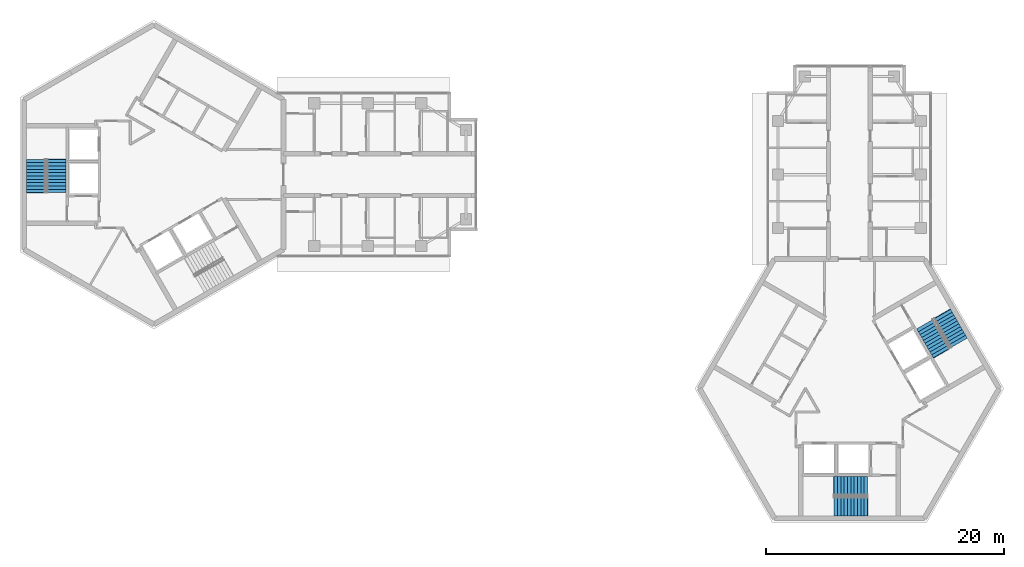
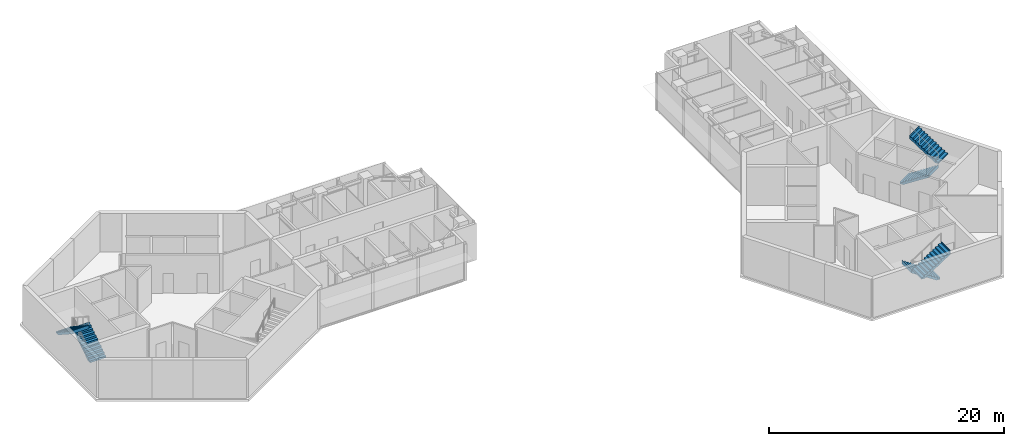
# One storey, part 10 of 11: 6 stair flights, 3 elements without a shape of their own.
"""IFC4 building model written with IfcOpenShell, lengths in metres."""

from ifc_helpers import new_model, si_unit, direction, frame, origin, place, context, subcontext, project, spatial, polyline, outline, extrude, material, type_object, element, aggregate, save


model = new_model("IFC4")

# Units and contexts
model_context = context("Model", 3, precision=1e-05, world=origin(), true_north=direction((0.0, 1.0)))
body_context = subcontext(model_context, "Body", "Model", "MODEL_VIEW")
ifc_project = project(units=[si_unit("LENGTHUNIT", "METRE"), si_unit("AREAUNIT", "SQUARE_METRE"), si_unit("VOLUMEUNIT", "CUBIC_METRE"), si_unit("PLANEANGLEUNIT", "RADIAN"), si_unit("MASSUNIT", "GRAM", prefix="KILO")], contexts=[model_context])

# Site, building, storey
site_placement = place(None, origin())
site = spatial("IfcSite", under=ifc_project, at=site_placement, CompositionType="ELEMENT")
building_placement = place(site_placement, origin())
building = spatial("IfcBuilding", under=site, at=building_placement, Name="Upepo Twin Towers", CompositionType="ELEMENT")
storey_placement = place(building_placement, frame((0.0, 0.0, 279.5)))
storey = spatial("IfcBuildingStorey", under=building, at=storey_placement, Name="L68", CompositionType="ELEMENT", Elevation=279.5)

# Stair, stair flights
ifc_material_1 = material(Name="Concrete C40/50", Category="concrete")
stair_type = type_object("IfcStairType", Name="Core stair, two flights", PredefinedType="HALF_TURN_STAIR", material=ifc_material_1)
stair_1_placement = place(storey_placement, origin())
stair_1 = element("IfcStair", 1, at=stair_1_placement, inside=storey, type_object=stair_type, Name="T1 stair S1 L68", PredefinedType="HALF_TURN_STAIR")
ifc_material_2 = material(Name="Concrete C40/50", Category="concrete")
stair_flight_type = type_object("IfcStairFlightType", Name="Stair flight 1600 RC", PredefinedType="STRAIGHT", material=ifc_material_2)
stair_flight_1_placement = place(storey_placement, frame((-8.199951171875, -1.52001953125, 0.0), z_axis=(0.0, 0.0, 1.0), x_axis=(0.0, 1.0, 0.0)))
stair_flight_1 = element("IfcStairFlight", 2, at=stair_flight_1_placement, type_object=stair_flight_type, Name="Stair S1 flight 1", NumberOfRisers=11, NumberOfTreads=10, PredefinedType="STRAIGHT", RiserHeight=0.181818182, TreadLength=0.28, context=body_context, shape_type="SweptSolid", body=[
    extrude(outline(polyline([(0.0, 0.0), (0.0, 0.181884765625), (0.280029296875, 0.181884765625), (0.280029296875, 0.363525390625), (0.56005859375, 0.363525390625), (0.56005859375, 0.54541015625), (0.840087890625, 0.54541015625), (0.840087890625, 0.727294921875), (1.1201171875, 0.727294921875), (1.1201171875, 0.9091796875), (1.39990234375, 0.9091796875), (1.39990234375, 1.0908203125), (1.679931640625, 1.0908203125), (1.679931640625, 1.272705078125), (1.9599609375, 1.272705078125), (1.9599609375, 1.45458984375), (2.239990234375, 1.45458984375), (2.239990234375, 1.636474609375), (2.52001953125, 1.636474609375), (2.52001953125, 1.818115234375), (2.800048828125, 1.818115234375), (2.800048828125, 2.0), (2.85009765625, 2.0), (2.85009765625, 1.639404296875), (0.3251953125, 0.0), (0.0, 0.0)])), frame((0.0, 0.800048828125, 0.0), z_axis=(0.0, -1.0, 0.0), x_axis=(1.0, 0.0, 0.0)), (0.0, 0.0, 1.0), 1.60009765625),
])
stair_flight_2_placement = place(storey_placement, frame((-9.908447265625, 1.280029296875, 2.0), z_axis=(0.0, 0.0, 1.0), x_axis=(0.0, -1.0, 0.0)))
stair_flight_2 = element("IfcStairFlight", 3, at=stair_flight_2_placement, type_object=stair_flight_type, Name="Stair S1 flight 2", NumberOfRisers=11, NumberOfTreads=10, PredefinedType="STRAIGHT", RiserHeight=0.181818182, TreadLength=0.28, context=body_context, shape_type="SweptSolid", body=[
    extrude(outline(polyline([(0.0, 0.0), (0.0, 0.181884765625), (0.280029296875, 0.181884765625), (0.280029296875, 0.363525390625), (0.56005859375, 0.363525390625), (0.56005859375, 0.54541015625), (0.840087890625, 0.54541015625), (0.840087890625, 0.727294921875), (1.1201171875, 0.727294921875), (1.1201171875, 0.9091796875), (1.39990234375, 0.9091796875), (1.39990234375, 1.0908203125), (1.679931640625, 1.0908203125), (1.679931640625, 1.272705078125), (1.9599609375, 1.272705078125), (1.9599609375, 1.45458984375), (2.239990234375, 1.45458984375), (2.239990234375, 1.636474609375), (2.52001953125, 1.636474609375), (2.52001953125, 1.818115234375), (2.800048828125, 1.818115234375), (2.800048828125, 2.0), (2.85009765625, 2.0), (2.85009765625, 1.639404296875), (0.3251953125, 0.0), (0.0, 0.0)])), frame((0.0, 0.800048828125, 0.0), z_axis=(0.0, -1.0, 0.0), x_axis=(1.0, 0.0, 0.0)), (0.0, 0.0, 1.0), 1.60009765625),
])
aggregate(stair_1, [stair_flight_1, stair_flight_2])

stair_2_placement = place(storey_placement, origin())
stair_2 = element("IfcStair", 4, at=stair_2_placement, inside=storey, type_object=stair_type, Name="T2 stair S1 L68", PredefinedType="HALF_TURN_STAIR")
stair_flight_3_placement = place(storey_placement, frame((60.02001953125, -26.199951171875, 0.0), z_axis=(0.0, 0.0, 1.0), x_axis=(-1.0, 0.0, 0.0)))
stair_flight_3 = element("IfcStairFlight", 5, at=stair_flight_3_placement, type_object=stair_flight_type, Name="Stair S1 flight 1", NumberOfRisers=11, NumberOfTreads=10, PredefinedType="STRAIGHT", RiserHeight=0.181818182, TreadLength=0.28, context=body_context, shape_type="SweptSolid", body=[
    extrude(outline(polyline([(0.0, 0.0), (0.0, 0.181884765625), (0.280029296875, 0.181884765625), (0.280029296875, 0.363525390625), (0.56005859375, 0.363525390625), (0.56005859375, 0.54541015625), (0.840087890625, 0.54541015625), (0.840087890625, 0.727294921875), (1.1201171875, 0.727294921875), (1.1201171875, 0.9091796875), (1.39990234375, 0.9091796875), (1.39990234375, 1.0908203125), (1.679931640625, 1.0908203125), (1.679931640625, 1.272705078125), (1.9599609375, 1.272705078125), (1.9599609375, 1.45458984375), (2.239990234375, 1.45458984375), (2.239990234375, 1.636474609375), (2.52001953125, 1.636474609375), (2.52001953125, 1.818115234375), (2.800048828125, 1.818115234375), (2.800048828125, 2.0), (2.85009765625, 2.0), (2.85009765625, 1.639404296875), (0.3251953125, 0.0), (0.0, 0.0)])), frame((0.0, 0.800048828125, 0.0), z_axis=(0.0, -1.0, 0.0), x_axis=(1.0, 0.0, 0.0)), (0.0, 0.0, 1.0), 1.60009765625),
])
stair_flight_4_placement = place(storey_placement, frame((57.219970703125, -27.908447265625, 2.0), z_axis=(0.0, 0.0, 1.0), x_axis=(1.0, 0.0, 0.0)))
stair_flight_4 = element("IfcStairFlight", 6, at=stair_flight_4_placement, type_object=stair_flight_type, Name="Stair S1 flight 2", NumberOfRisers=11, NumberOfTreads=10, PredefinedType="STRAIGHT", RiserHeight=0.181818182, TreadLength=0.28, context=body_context, shape_type="SweptSolid", body=[
    extrude(outline(polyline([(0.0, 0.0), (0.0, 0.181884765625), (0.280029296875, 0.181884765625), (0.280029296875, 0.363525390625), (0.56005859375, 0.363525390625), (0.56005859375, 0.54541015625), (0.840087890625, 0.54541015625), (0.840087890625, 0.727294921875), (1.1201171875, 0.727294921875), (1.1201171875, 0.9091796875), (1.39990234375, 0.9091796875), (1.39990234375, 1.0908203125), (1.679931640625, 1.0908203125), (1.679931640625, 1.272705078125), (1.9599609375, 1.272705078125), (1.9599609375, 1.45458984375), (2.239990234375, 1.45458984375), (2.239990234375, 1.636474609375), (2.52001953125, 1.636474609375), (2.52001953125, 1.818115234375), (2.800048828125, 1.818115234375), (2.800048828125, 2.0), (2.85009765625, 2.0), (2.85009765625, 1.639404296875), (0.3251953125, 0.0), (0.0, 0.0)])), frame((0.0, 0.800048828125, 0.0), z_axis=(0.0, -1.0, 0.0), x_axis=(1.0, 0.0, 0.0)), (0.0, 0.0, 1.0), 1.60009765625),
])
aggregate(stair_2, [stair_flight_3, stair_flight_4])

stair_3_placement = place(storey_placement, origin())
stair_3 = element("IfcStair", 7, at=stair_3_placement, inside=storey, type_object=stair_type, Name="T2 stair S2 L68", PredefinedType="HALF_TURN_STAIR")
stair_flight_5_placement = place(storey_placement, frame((64.84130859375, -12.583740234375, 0.0), z_axis=(0.0, 0.0, 1.0), x_axis=(0.5, -0.866025403784, 0.0)))
stair_flight_5 = element("IfcStairFlight", 8, at=stair_flight_5_placement, type_object=stair_flight_type, Name="Stair S2 flight 1", NumberOfRisers=11, NumberOfTreads=10, PredefinedType="STRAIGHT", RiserHeight=0.181818182, TreadLength=0.28, context=body_context, shape_type="SweptSolid", body=[
    extrude(outline(polyline([(0.0, 0.0), (0.0, 0.181884765625), (0.280029296875, 0.181884765625), (0.280029296875, 0.363525390625), (0.56005859375, 0.363525390625), (0.56005859375, 0.54541015625), (0.840087890625, 0.54541015625), (0.840087890625, 0.727294921875), (1.1201171875, 0.727294921875), (1.1201171875, 0.9091796875), (1.39990234375, 0.9091796875), (1.39990234375, 1.0908203125), (1.679931640625, 1.0908203125), (1.679931640625, 1.272705078125), (1.9599609375, 1.272705078125), (1.9599609375, 1.45458984375), (2.239990234375, 1.45458984375), (2.239990234375, 1.636474609375), (2.52001953125, 1.636474609375), (2.52001953125, 1.818115234375), (2.800048828125, 1.818115234375), (2.800048828125, 2.0), (2.85009765625, 2.0), (2.85009765625, 1.639404296875), (0.3251953125, 0.0), (0.0, 0.0)])), frame((0.0, 0.800048828125, 0.0), z_axis=(0.0, -1.0, 0.0), x_axis=(1.0, 0.0, 0.0)), (0.0, 0.0, 1.0), 1.60009765625),
])
stair_flight_6_placement = place(storey_placement, frame((67.720947265625, -14.154296875, 2.0), z_axis=(0.0, 0.0, 1.0), x_axis=(-0.5, 0.866025403784, 0.0)))
stair_flight_6 = element("IfcStairFlight", 9, at=stair_flight_6_placement, type_object=stair_flight_type, Name="Stair S2 flight 2", NumberOfRisers=11, NumberOfTreads=10, PredefinedType="STRAIGHT", RiserHeight=0.181818182, TreadLength=0.28, context=body_context, shape_type="SweptSolid", body=[
    extrude(outline(polyline([(0.0, 0.0), (0.0, 0.181884765625), (0.280029296875, 0.181884765625), (0.280029296875, 0.363525390625), (0.56005859375, 0.363525390625), (0.56005859375, 0.54541015625), (0.840087890625, 0.54541015625), (0.840087890625, 0.727294921875), (1.1201171875, 0.727294921875), (1.1201171875, 0.9091796875), (1.39990234375, 0.9091796875), (1.39990234375, 1.0908203125), (1.679931640625, 1.0908203125), (1.679931640625, 1.272705078125), (1.9599609375, 1.272705078125), (1.9599609375, 1.45458984375), (2.239990234375, 1.45458984375), (2.239990234375, 1.636474609375), (2.52001953125, 1.636474609375), (2.52001953125, 1.818115234375), (2.800048828125, 1.818115234375), (2.800048828125, 2.0), (2.85009765625, 2.0), (2.85009765625, 1.639404296875), (0.3251953125, 0.0), (0.0, 0.0)])), frame((0.0, 0.800048828125, 0.0), z_axis=(0.0, -1.0, 0.0), x_axis=(1.0, 0.0, 0.0)), (0.0, 0.0, 1.0), 1.60009765625),
])
aggregate(stair_3, [stair_flight_5, stair_flight_6])

save(model, "model.ifc")
